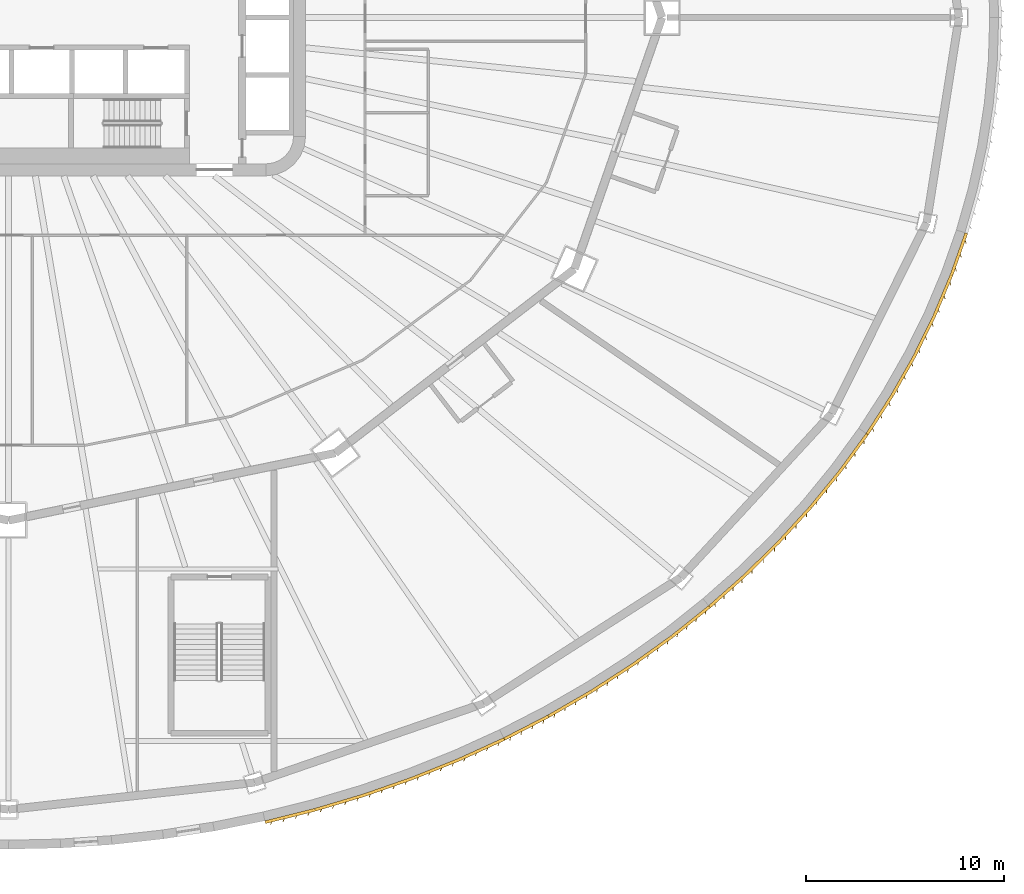
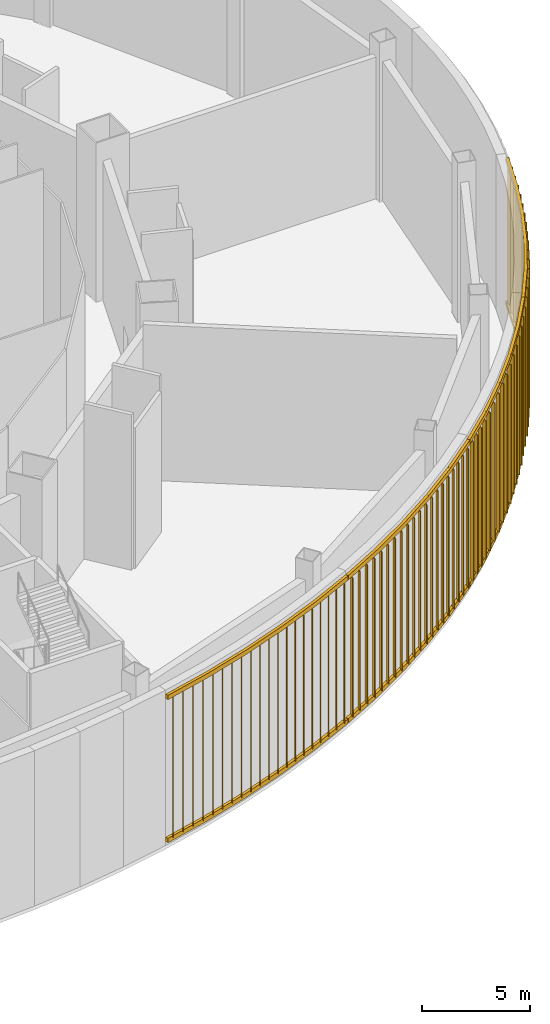
# One storey, part 31 of 35: 4 shading devices.
"""IFC4 building model written with IfcOpenShell, lengths in metres."""

from ifc_helpers import new_model, si_unit, direction, frame, origin, origin_2d, place, context, subcontext, project, spatial, rectangle, extrude, material, type_object, element, save


model = new_model("IFC4")

# Units and contexts
model_context = context("Model", 3, precision=1e-05, world=origin(), true_north=direction((0.0, 1.0)))
body_context = subcontext(model_context, "Body", "Model", "MODEL_VIEW")
ifc_project = project(units=[si_unit("LENGTHUNIT", "METRE"), si_unit("AREAUNIT", "SQUARE_METRE"), si_unit("VOLUMEUNIT", "CUBIC_METRE"), si_unit("PLANEANGLEUNIT", "RADIAN"), si_unit("MASSUNIT", "GRAM", prefix="KILO")], contexts=[model_context])

# Site, building, storey
site_placement = place(None, origin())
site = spatial("IfcSite", under=ifc_project, at=site_placement, CompositionType="ELEMENT")
building_placement = place(site_placement, origin())
building = spatial("IfcBuilding", under=site, at=building_placement, Name="Sahrelin Media Tower", CompositionType="ELEMENT")
storey_placement = place(building_placement, frame((0.0, 0.0, 8.0)))
storey = spatial("IfcBuildingStorey", under=building, at=storey_placement, Name="L01", CompositionType="ELEMENT", Elevation=8.0)

# Shading devices
ifc_material = material(Name="Champagne anodised aluminium 6063-T6", Category="aluminium")
shading_device_type = type_object("IfcShadingDeviceType", Name="Studio facade screen", PredefinedType="USERDEFINED", material=ifc_material)
shading_device_1_placement = place(storey_placement, frame((12.94091796875, -40.56884765625, 0.0), z_axis=(0.0, 0.0, 1.0), x_axis=(-0.944472511528, -0.328590436515, 0.0)))
element("IfcShadingDevice", 1, at=shading_device_1_placement, inside=storey, type_object=shading_device_type, Name="L01:SCREEN:L01-P19", ObjectType="SCREEN", PredefinedType="USERDEFINED", context=body_context, shape_type="SweptSolid", body=[
    extrude(rectangle(XDim=0.14990234375, YDim=0.25, at=origin_2d()), frame((0.0068359375, 0.07470703125, 0.35009765625), z_axis=(-0.995868409854, 0.090808095761, 0.0), x_axis=(-0.090808095761, -0.995868409854, 0.0)), (0.0, 0.0, 1.0), 2.58642578125),
    extrude(rectangle(XDim=0.14990234375, YDim=0.25, at=origin_2d()), frame((0.0068359375, 0.07470703125, 8.449951171875), z_axis=(-0.995868409854, 0.090808095761, 0.0), x_axis=(-0.090808095761, -0.995868409854, 0.0)), (0.0, 0.0, 1.0), 2.58642578125),
    extrude(rectangle(XDim=0.300048828125, YDim=0.0400390625, at=origin_2d()), frame((-0.308349609375, 0.1787109375, 0.47509765625), z_axis=(0.0, 0.0, 1.0), x_axis=(0.707106781187, 0.707106781187, 0.0)), (0.0, 0.0, 1.0), 7.849853515625),
    extrude(rectangle(XDim=0.300048828125, YDim=0.0400390625, at=origin_2d()), frame((-0.9521484375, 0.237548828125, 0.47509765625), z_axis=(0.0, 0.0, 1.0), x_axis=(0.707106781187, 0.707106781187, 0.0)), (0.0, 0.0, 1.0), 7.849853515625),
    extrude(rectangle(XDim=0.300048828125, YDim=0.0400390625, at=origin_2d()), frame((-1.59619140625, 0.296142578125, 0.47509765625), z_axis=(0.0, 0.0, 1.0), x_axis=(0.707106781187, 0.707106781187, 0.0)), (0.0, 0.0, 1.0), 7.849853515625),
    extrude(rectangle(XDim=0.300048828125, YDim=0.0400390625, at=origin_2d()), frame((-2.239990234375, 0.35498046875, 0.47509765625), z_axis=(0.0, 0.0, 1.0), x_axis=(0.707106781187, 0.707106781187, 0.0)), (0.0, 0.0, 1.0), 7.849853515625),
    extrude(rectangle(XDim=0.14990234375, YDim=0.25, at=origin_2d()), frame((-2.572265625, 0.309814453125, 0.35009765625), z_axis=(-0.998954807811, 0.045708773245, 0.0), x_axis=(-0.045708773245, -0.998954807811, 0.0)), (0.0, 0.0, 1.0), 2.574462890625),
    extrude(rectangle(XDim=0.14990234375, YDim=0.25, at=origin_2d()), frame((-2.572265625, 0.309814453125, 8.449951171875), z_axis=(-0.998954807811, 0.045708773245, 0.0), x_axis=(-0.045708773245, -0.998954807811, 0.0)), (0.0, 0.0, 1.0), 2.574462890625),
    extrude(rectangle(XDim=0.300048828125, YDim=0.0400390625, at=origin_2d()), frame((-2.890380859375, 0.3994140625, 0.47509765625), z_axis=(0.0, 0.0, 1.0), x_axis=(0.707106781187, 0.707106781187, 0.0)), (0.0, 0.0, 1.0), 7.849853515625),
    extrude(rectangle(XDim=0.300048828125, YDim=0.0400390625, at=origin_2d()), frame((-3.533203125, 0.428955078125, 0.47509765625), z_axis=(0.0, 0.0, 1.0), x_axis=(0.707106781187, 0.707106781187, 0.0)), (0.0, 0.0, 1.0), 7.849853515625),
    extrude(rectangle(XDim=0.300048828125, YDim=0.0400390625, at=origin_2d()), frame((-4.176025390625, 0.458251953125, 0.47509765625), z_axis=(0.0, 0.0, 1.0), x_axis=(0.707106781187, 0.707106781187, 0.0)), (0.0, 0.0, 1.0), 7.849853515625),
    extrude(rectangle(XDim=0.300048828125, YDim=0.0400390625, at=origin_2d()), frame((-4.819091796875, 0.48779296875, 0.47509765625), z_axis=(0.0, 0.0, 1.0), x_axis=(0.707106781187, 0.707106781187, 0.0)), (0.0, 0.0, 1.0), 7.849853515625),
    extrude(rectangle(XDim=0.14990234375, YDim=0.25, at=origin_2d()), frame((-5.1474609375, 0.427490234375, 0.35009765625), z_axis=(-1.0, 0.0, 0.0), x_axis=(0.0, -1.0, 0.0)), (0.0, 0.0, 1.0), 2.560546875),
    extrude(rectangle(XDim=0.14990234375, YDim=0.25, at=origin_2d()), frame((-5.1474609375, 0.427490234375, 8.449951171875), z_axis=(-1.0, 0.0, 0.0), x_axis=(0.0, -1.0, 0.0)), (0.0, 0.0, 1.0), 2.560546875),
    extrude(rectangle(XDim=0.300048828125, YDim=0.0400390625, at=origin_2d()), frame((-5.467529296875, 0.502685546875, 0.47509765625), z_axis=(0.0, 0.0, 1.0), x_axis=(0.707106781187, 0.707106781187, 0.0)), (0.0, 0.0, 1.0), 7.849853515625),
    extrude(rectangle(XDim=0.300048828125, YDim=0.0400390625, at=origin_2d()), frame((-6.107666015625, 0.502685546875, 0.47509765625), z_axis=(0.0, 0.0, 1.0), x_axis=(0.707106781187, 0.707106781187, 0.0)), (0.0, 0.0, 1.0), 7.849853515625),
    extrude(rectangle(XDim=0.300048828125, YDim=0.0400390625, at=origin_2d()), frame((-6.747802734375, 0.502685546875, 0.47509765625), z_axis=(0.0, 0.0, 1.0), x_axis=(0.707106781187, 0.707106781187, 0.0)), (0.0, 0.0, 1.0), 7.849853515625),
    extrude(rectangle(XDim=0.300048828125, YDim=0.0400390625, at=origin_2d()), frame((-7.387939453125, 0.502685546875, 0.47509765625), z_axis=(0.0, 0.0, 1.0), x_axis=(0.707106781187, 0.707106781187, 0.0)), (0.0, 0.0, 1.0), 7.849853515625),
    extrude(rectangle(XDim=0.14990234375, YDim=0.25, at=origin_2d()), frame((-7.71142578125, 0.427490234375, 0.35009765625), z_axis=(-0.998930620484, -0.046234353666, 0.0), x_axis=(0.046234353666, -0.998930620484, 0.0)), (0.0, 0.0, 1.0), 2.545166015625),
    extrude(rectangle(XDim=0.14990234375, YDim=0.25, at=origin_2d()), frame((-7.71142578125, 0.427490234375, 8.449951171875), z_axis=(-0.998930620484, -0.046234353666, 0.0), x_axis=(0.046234353666, -0.998930620484, 0.0)), (0.0, 0.0, 1.0), 2.545166015625),
    extrude(rectangle(XDim=0.300048828125, YDim=0.0400390625, at=origin_2d()), frame((-8.03271484375, 0.48779296875, 0.47509765625), z_axis=(0.0, 0.0, 1.0), x_axis=(0.707106781187, 0.707106781187, 0.0)), (0.0, 0.0, 1.0), 7.849853515625),
    extrude(rectangle(XDim=0.300048828125, YDim=0.0400390625, at=origin_2d()), frame((-8.66845703125, 0.458251953125, 0.47509765625), z_axis=(0.0, 0.0, 1.0), x_axis=(0.707106781187, 0.707106781187, 0.0)), (0.0, 0.0, 1.0), 7.849853515625),
    extrude(rectangle(XDim=0.300048828125, YDim=0.0400390625, at=origin_2d()), frame((-9.303955078125, 0.428955078125, 0.47509765625), z_axis=(0.0, 0.0, 1.0), x_axis=(0.707106781187, 0.707106781187, 0.0)), (0.0, 0.0, 1.0), 7.849853515625),
    extrude(rectangle(XDim=0.300048828125, YDim=0.0400390625, at=origin_2d()), frame((-9.939697265625, 0.3994140625, 0.47509765625), z_axis=(0.0, 0.0, 1.0), x_axis=(0.707106781187, 0.707106781187, 0.0)), (0.0, 0.0, 1.0), 7.849853515625),
    extrude(rectangle(XDim=0.14990234375, YDim=0.25, at=origin_2d()), frame((-10.257568359375, 0.3095703125, 0.35009765625), z_axis=(-0.995676744861, -0.092886057851, 0.0), x_axis=(0.092886057851, -0.995676744861, 0.0)), (0.0, 0.0, 1.0), 2.528564453125),
    extrude(rectangle(XDim=0.14990234375, YDim=0.25, at=origin_2d()), frame((-10.257568359375, 0.3095703125, 8.449951171875), z_axis=(-0.995676744861, -0.092886057851, 0.0), x_axis=(0.092886057851, -0.995676744861, 0.0)), (0.0, 0.0, 1.0), 2.528564453125),
    extrude(rectangle(XDim=0.300048828125, YDim=0.0400390625, at=origin_2d()), frame((-10.5791015625, 0.35498046875, 0.47509765625), z_axis=(0.0, 0.0, 1.0), x_axis=(0.707106781187, 0.707106781187, 0.0)), (0.0, 0.0, 1.0), 7.849853515625),
    extrude(rectangle(XDim=0.300048828125, YDim=0.0400390625, at=origin_2d()), frame((-11.20849609375, 0.296142578125, 0.47509765625), z_axis=(0.0, 0.0, 1.0), x_axis=(0.707106781187, 0.707106781187, 0.0)), (0.0, 0.0, 1.0), 7.849853515625),
    extrude(rectangle(XDim=0.300048828125, YDim=0.0400390625, at=origin_2d()), frame((-11.837890625, 0.237548828125, 0.47509765625), z_axis=(0.0, 0.0, 1.0), x_axis=(0.707106781187, 0.707106781187, 0.0)), (0.0, 0.0, 1.0), 7.849853515625),
    extrude(rectangle(XDim=0.300048828125, YDim=0.0400390625, at=origin_2d()), frame((-12.46728515625, 0.1787109375, 0.47509765625), z_axis=(0.0, 0.0, 1.0), x_axis=(0.707106781187, 0.707106781187, 0.0)), (0.0, 0.0, 1.0), 7.849853515625),
])
shading_device_2_placement = place(storey_placement, frame((25.0, -36.373046875, 0.0), z_axis=(0.0, 0.0, 1.0), x_axis=(-0.840505257377, -0.541803388991, 0.0)))
element("IfcShadingDevice", 2, at=shading_device_2_placement, inside=storey, type_object=shading_device_type, Name="L01:SCREEN:L01-P20", ObjectType="SCREEN", PredefinedType="USERDEFINED", context=body_context, shape_type="SweptSolid", body=[
    extrude(rectangle(XDim=0.14990234375, YDim=0.25, at=origin_2d()), frame((0.00732421875, 0.07470703125, 0.35009765625), z_axis=(-0.995288149156, 0.096961333272, 0.0), x_axis=(-0.096961333272, -0.995288149156, 0.0)), (0.0, 0.0, 1.0), 2.51025390625),
    extrude(rectangle(XDim=0.14990234375, YDim=0.25, at=origin_2d()), frame((0.00732421875, 0.07470703125, 8.449951171875), z_axis=(-0.995288149156, 0.096961333272, 0.0), x_axis=(-0.096961333272, -0.995288149156, 0.0)), (0.0, 0.0, 1.0), 2.51025390625),
    extrude(rectangle(XDim=0.300048828125, YDim=0.0400390625, at=origin_2d()), frame((-0.2978515625, 0.1796875, 0.47509765625), z_axis=(0.0, 0.0, 1.0), x_axis=(0.707106781187, 0.707106781187, 0.0)), (0.0, 0.0, 1.0), 7.849853515625),
    extrude(rectangle(XDim=0.300048828125, YDim=0.0400390625, at=origin_2d()), frame((-0.92236328125, 0.240478515625, 0.47509765625), z_axis=(0.0, 0.0, 1.0), x_axis=(0.707106781187, 0.707106781187, 0.0)), (0.0, 0.0, 1.0), 7.849853515625),
    extrude(rectangle(XDim=0.300048828125, YDim=0.0400390625, at=origin_2d()), frame((-1.547119140625, 0.301513671875, 0.47509765625), z_axis=(0.0, 0.0, 1.0), x_axis=(0.707106781187, 0.707106781187, 0.0)), (0.0, 0.0, 1.0), 7.849853515625),
    extrude(rectangle(XDim=0.300048828125, YDim=0.0400390625, at=origin_2d()), frame((-2.171630859375, 0.3623046875, 0.47509765625), z_axis=(0.0, 0.0, 1.0), x_axis=(0.707106781187, 0.707106781187, 0.0)), (0.0, 0.0, 1.0), 7.849853515625),
    extrude(rectangle(XDim=0.14990234375, YDim=0.25, at=origin_2d()), frame((-2.494873046875, 0.318603515625, 0.35009765625), z_axis=(-0.99880815952, 0.048808405793, 0.0), x_axis=(-0.048808405793, -0.99880815952, 0.0)), (0.0, 0.0, 1.0), 2.490966796875),
    extrude(rectangle(XDim=0.14990234375, YDim=0.25, at=origin_2d()), frame((-2.494873046875, 0.318603515625, 8.449951171875), z_axis=(-0.99880815952, 0.048808405793, 0.0), x_axis=(-0.048808405793, -0.99880815952, 0.0)), (0.0, 0.0, 1.0), 2.490966796875),
    extrude(rectangle(XDim=0.300048828125, YDim=0.0400390625, at=origin_2d()), frame((-2.80224609375, 0.40869140625, 0.47509765625), z_axis=(0.0, 0.0, 1.0), x_axis=(0.707106781187, 0.707106781187, 0.0)), (0.0, 0.0, 1.0), 7.849853515625),
    extrude(rectangle(XDim=0.300048828125, YDim=0.0400390625, at=origin_2d()), frame((-3.42431640625, 0.439208984375, 0.47509765625), z_axis=(0.0, 0.0, 1.0), x_axis=(0.707106781187, 0.707106781187, 0.0)), (0.0, 0.0, 1.0), 7.849853515625),
    extrude(rectangle(XDim=0.300048828125, YDim=0.0400390625, at=origin_2d()), frame((-4.046142578125, 0.469482421875, 0.47509765625), z_axis=(0.0, 0.0, 1.0), x_axis=(0.707106781187, 0.707106781187, 0.0)), (0.0, 0.0, 1.0), 7.849853515625),
    extrude(rectangle(XDim=0.300048828125, YDim=0.0400390625, at=origin_2d()), frame((-4.668212890625, 0.5, 0.47509765625), z_axis=(0.0, 0.0, 1.0), x_axis=(0.707106781187, 0.707106781187, 0.0)), (0.0, 0.0, 1.0), 7.849853515625),
    extrude(rectangle(XDim=0.14990234375, YDim=0.25, at=origin_2d()), frame((-4.986572265625, 0.4404296875, 0.35009765625), z_axis=(-1.0, 0.0, 0.0), x_axis=(0.0, -1.0, 0.0)), (0.0, 0.0, 1.0), 2.470703125),
    extrude(rectangle(XDim=0.14990234375, YDim=0.25, at=origin_2d()), frame((-4.986572265625, 0.4404296875, 8.449951171875), z_axis=(-1.0, 0.0, 0.0), x_axis=(0.0, -1.0, 0.0)), (0.0, 0.0, 1.0), 2.470703125),
    extrude(rectangle(XDim=0.300048828125, YDim=0.0400390625, at=origin_2d()), frame((-5.29541015625, 0.515380859375, 0.47509765625), z_axis=(0.0, 0.0, 1.0), x_axis=(0.707106781187, 0.707106781187, 0.0)), (0.0, 0.0, 1.0), 7.849853515625),
    extrude(rectangle(XDim=0.300048828125, YDim=0.0400390625, at=origin_2d()), frame((-5.9130859375, 0.515380859375, 0.47509765625), z_axis=(0.0, 0.0, 1.0), x_axis=(0.707106781187, 0.707106781187, 0.0)), (0.0, 0.0, 1.0), 7.849853515625),
    extrude(rectangle(XDim=0.300048828125, YDim=0.0400390625, at=origin_2d()), frame((-6.53076171875, 0.515380859375, 0.47509765625), z_axis=(0.0, 0.0, 1.0), x_axis=(0.707106781187, 0.707106781187, 0.0)), (0.0, 0.0, 1.0), 7.849853515625),
    extrude(rectangle(XDim=0.300048828125, YDim=0.0400390625, at=origin_2d()), frame((-7.1484375, 0.515380859375, 0.47509765625), z_axis=(0.0, 0.0, 1.0), x_axis=(0.707106781187, 0.707106781187, 0.0)), (0.0, 0.0, 1.0), 7.849853515625),
    extrude(rectangle(XDim=0.14990234375, YDim=0.25, at=origin_2d()), frame((-7.4609375, 0.440185546875, 0.35009765625), z_axis=(-0.998762754954, -0.049728857985, 0.0), x_axis=(0.049728857985, -0.998762754954, 0.0)), (0.0, 0.0, 1.0), 2.44970703125),
    extrude(rectangle(XDim=0.14990234375, YDim=0.25, at=origin_2d()), frame((-7.4609375, 0.440185546875, 8.449951171875), z_axis=(-0.998762754954, -0.049728857985, 0.0), x_axis=(0.049728857985, -0.998762754954, 0.0)), (0.0, 0.0, 1.0), 2.44970703125),
    extrude(rectangle(XDim=0.300048828125, YDim=0.0400390625, at=origin_2d()), frame((-7.7705078125, 0.5, 0.47509765625), z_axis=(0.0, 0.0, 1.0), x_axis=(0.707106781187, 0.707106781187, 0.0)), (0.0, 0.0, 1.0), 7.849853515625),
    extrude(rectangle(XDim=0.300048828125, YDim=0.0400390625, at=origin_2d()), frame((-8.38232421875, 0.469482421875, 0.47509765625), z_axis=(0.0, 0.0, 1.0), x_axis=(0.707106781187, 0.707106781187, 0.0)), (0.0, 0.0, 1.0), 7.849853515625),
    extrude(rectangle(XDim=0.300048828125, YDim=0.0400390625, at=origin_2d()), frame((-8.993896484375, 0.43896484375, 0.47509765625), z_axis=(0.0, 0.0, 1.0), x_axis=(0.707106781187, 0.707106781187, 0.0)), (0.0, 0.0, 1.0), 7.849853515625),
    extrude(rectangle(XDim=0.300048828125, YDim=0.0400390625, at=origin_2d()), frame((-9.605712890625, 0.40869140625, 0.47509765625), z_axis=(0.0, 0.0, 1.0), x_axis=(0.707106781187, 0.707106781187, 0.0)), (0.0, 0.0, 1.0), 7.849853515625),
    extrude(rectangle(XDim=0.14990234375, YDim=0.25, at=origin_2d()), frame((-9.91162109375, 0.318115234375, 0.35009765625), z_axis=(-0.994962242717, -0.100250364425, 0.0), x_axis=(0.100250364425, -0.994962242717, 0.0)), (0.0, 0.0, 1.0), 2.427978515625),
    extrude(rectangle(XDim=0.14990234375, YDim=0.25, at=origin_2d()), frame((-9.91162109375, 0.318115234375, 8.449951171875), z_axis=(-0.994962242717, -0.100250364425, 0.0), x_axis=(0.100250364425, -0.994962242717, 0.0)), (0.0, 0.0, 1.0), 2.427978515625),
    extrude(rectangle(XDim=0.300048828125, YDim=0.0400390625, at=origin_2d()), frame((-10.220947265625, 0.3623046875, 0.47509765625), z_axis=(0.0, 0.0, 1.0), x_axis=(0.707106781187, 0.707106781187, 0.0)), (0.0, 0.0, 1.0), 7.849853515625),
    extrude(rectangle(XDim=0.300048828125, YDim=0.0400390625, at=origin_2d()), frame((-10.824951171875, 0.301513671875, 0.47509765625), z_axis=(0.0, 0.0, 1.0), x_axis=(0.707106781187, 0.707106781187, 0.0)), (0.0, 0.0, 1.0), 7.849853515625),
    extrude(rectangle(XDim=0.300048828125, YDim=0.0400390625, at=origin_2d()), frame((-11.428955078125, 0.240478515625, 0.47509765625), z_axis=(0.0, 0.0, 1.0), x_axis=(0.707106781187, 0.707106781187, 0.0)), (0.0, 0.0, 1.0), 7.849853515625),
    extrude(rectangle(XDim=0.300048828125, YDim=0.0400390625, at=origin_2d()), frame((-12.032958984375, 0.1796875, 0.47509765625), z_axis=(0.0, 0.0, 1.0), x_axis=(0.707106781187, 0.707106781187, 0.0)), (0.0, 0.0, 1.0), 7.849853515625),
])
shading_device_3_placement = place(storey_placement, frame((35.355224609375, -29.698486328125, 0.0), z_axis=(0.0, 0.0, 1.0), x_axis=(-0.674432963717, -0.738336087058, 0.0)))
element("IfcShadingDevice", 3, at=shading_device_3_placement, inside=storey, type_object=shading_device_type, Name="L01:SCREEN:L01-P21", ObjectType="SCREEN", PredefinedType="USERDEFINED", context=body_context, shape_type="SweptSolid", body=[
    extrude(rectangle(XDim=0.14990234375, YDim=0.25, at=origin_2d()), frame((0.0078125, 0.07470703125, 0.35009765625), z_axis=(-0.994395950407, 0.105719883718, 0.0), x_axis=(-0.105719883718, -0.994395950407, 0.0)), (0.0, 0.0, 1.0), 2.40625),
    extrude(rectangle(XDim=0.14990234375, YDim=0.25, at=origin_2d()), frame((0.0078125, 0.07470703125, 8.449951171875), z_axis=(-0.994395950407, 0.105719883718, 0.0), x_axis=(-0.105719883718, -0.994395950407, 0.0)), (0.0, 0.0, 1.0), 2.40625),
    extrude(rectangle(XDim=0.300048828125, YDim=0.0400390625, at=origin_2d()), frame((-0.283203125, 0.180908203125, 0.47509765625), z_axis=(0.0, 0.0, 1.0), x_axis=(0.707106781187, 0.707106781187, 0.0)), (0.0, 0.0, 1.0), 7.849853515625),
    extrude(rectangle(XDim=0.300048828125, YDim=0.0400390625, at=origin_2d()), frame((-0.881591796875, 0.24462890625, 0.47509765625), z_axis=(0.0, 0.0, 1.0), x_axis=(0.707106781187, 0.707106781187, 0.0)), (0.0, 0.0, 1.0), 7.849853515625),
    extrude(rectangle(XDim=0.300048828125, YDim=0.0400390625, at=origin_2d()), frame((-1.479736328125, 0.308349609375, 0.47509765625), z_axis=(0.0, 0.0, 1.0), x_axis=(0.707106781187, 0.707106781187, 0.0)), (0.0, 0.0, 1.0), 7.849853515625),
    extrude(rectangle(XDim=0.300048828125, YDim=0.0400390625, at=origin_2d()), frame((-2.077880859375, 0.3720703125, 0.47509765625), z_axis=(0.0, 0.0, 1.0), x_axis=(0.707106781187, 0.707106781187, 0.0)), (0.0, 0.0, 1.0), 7.849853515625),
    extrude(rectangle(XDim=0.14990234375, YDim=0.25, at=origin_2d()), frame((-2.388916015625, 0.32958984375, 0.35009765625), z_axis=(-0.998570768026, 0.053445497889, 0.0), x_axis=(-0.053445497889, -0.998570768026, 0.0)), (0.0, 0.0, 1.0), 2.384521484375),
    extrude(rectangle(XDim=0.14990234375, YDim=0.25, at=origin_2d()), frame((-2.388916015625, 0.32958984375, 8.449951171875), z_axis=(-0.998570768026, 0.053445497889, 0.0), x_axis=(-0.053445497889, -0.998570768026, 0.0)), (0.0, 0.0, 1.0), 2.384521484375),
    extrude(rectangle(XDim=0.300048828125, YDim=0.0400390625, at=origin_2d()), frame((-2.78173828125, 0.42578125, 0.47509765625), z_axis=(0.0, 0.0, 1.0), x_axis=(0.707106781187, 0.707106781187, 0.0)), (0.0, 0.0, 1.0), 7.849853515625),
    extrude(rectangle(XDim=0.300048828125, YDim=0.0400390625, at=origin_2d()), frame((-3.575439453125, 0.46826171875, 0.47509765625), z_axis=(0.0, 0.0, 1.0), x_axis=(0.707106781187, 0.707106781187, 0.0)), (0.0, 0.0, 1.0), 7.849853515625),
    extrude(rectangle(XDim=0.300048828125, YDim=0.0400390625, at=origin_2d()), frame((-4.369140625, 0.5107421875, 0.47509765625), z_axis=(0.0, 0.0, 1.0), x_axis=(0.707106781187, 0.707106781187, 0.0)), (0.0, 0.0, 1.0), 7.849853515625),
    extrude(rectangle(XDim=0.14990234375, YDim=0.25, at=origin_2d()), frame((-4.77392578125, 0.457275390625, 0.35009765625), z_axis=(-0.999999994662, -0.000103327133, 0.0), x_axis=(0.000103327133, -0.999999994662, 0.0)), (0.0, 0.0, 1.0), 2.36279296875),
    extrude(rectangle(XDim=0.14990234375, YDim=0.25, at=origin_2d()), frame((-4.77392578125, 0.457275390625, 8.449951171875), z_axis=(-0.999999994662, -0.000103327133, 0.0), x_axis=(0.000103327133, -0.999999994662, 0.0)), (0.0, 0.0, 1.0), 2.36279296875),
    extrude(rectangle(XDim=0.300048828125, YDim=0.0400390625, at=origin_2d()), frame((-5.167724609375, 0.5322265625, 0.47509765625), z_axis=(0.0, 0.0, 1.0), x_axis=(0.707106781187, 0.707106781187, 0.0)), (0.0, 0.0, 1.0), 7.849853515625),
    extrude(rectangle(XDim=0.300048828125, YDim=0.0400390625, at=origin_2d()), frame((-5.955322265625, 0.531982421875, 0.47509765625), z_axis=(0.0, 0.0, 1.0), x_axis=(0.707106781187, 0.707106781187, 0.0)), (0.0, 0.0, 1.0), 7.849853515625),
    extrude(rectangle(XDim=0.300048828125, YDim=0.0400390625, at=origin_2d()), frame((-6.742919921875, 0.531982421875, 0.47509765625), z_axis=(0.0, 0.0, 1.0), x_axis=(0.707106781187, 0.707106781187, 0.0)), (0.0, 0.0, 1.0), 7.849853515625),
    extrude(rectangle(XDim=0.14990234375, YDim=0.25, at=origin_2d()), frame((-7.140869140625, 0.45703125, 0.35009765625), z_axis=(-0.998517563231, -0.054430468672, 0.0), x_axis=(0.054430468672, -0.998517563231, 0.0)), (0.0, 0.0, 1.0), 2.34130859375),
    extrude(rectangle(XDim=0.14990234375, YDim=0.25, at=origin_2d()), frame((-7.140869140625, 0.45703125, 8.449951171875), z_axis=(-0.998517563231, -0.054430468672, 0.0), x_axis=(0.054430468672, -0.998517563231, 0.0)), (0.0, 0.0, 1.0), 2.34130859375),
    extrude(rectangle(XDim=0.300048828125, YDim=0.0400390625, at=origin_2d()), frame((-7.53466796875, 0.510498046875, 0.47509765625), z_axis=(0.0, 0.0, 1.0), x_axis=(0.707106781187, 0.707106781187, 0.0)), (0.0, 0.0, 1.0), 7.849853515625),
    extrude(rectangle(XDim=0.300048828125, YDim=0.0400390625, at=origin_2d()), frame((-8.31396484375, 0.468017578125, 0.47509765625), z_axis=(0.0, 0.0, 1.0), x_axis=(0.707106781187, 0.707106781187, 0.0)), (0.0, 0.0, 1.0), 7.849853515625),
    extrude(rectangle(XDim=0.300048828125, YDim=0.0400390625, at=origin_2d()), frame((-9.09326171875, 0.425537109375, 0.47509765625), z_axis=(0.0, 0.0, 1.0), x_axis=(0.707106781187, 0.707106781187, 0.0)), (0.0, 0.0, 1.0), 7.849853515625),
    extrude(rectangle(XDim=0.14990234375, YDim=0.25, at=origin_2d()), frame((-9.48291015625, 0.3291015625, 0.35009765625), z_axis=(-0.993963012616, -0.109715675961, 0.0), x_axis=(0.109715675961, -0.993963012616, 0.0)), (0.0, 0.0, 1.0), 2.32080078125),
    extrude(rectangle(XDim=0.14990234375, YDim=0.25, at=origin_2d()), frame((-9.48291015625, 0.3291015625, 8.449951171875), z_axis=(-0.993963012616, -0.109715675961, 0.0), x_axis=(0.109715675961, -0.993963012616, 0.0)), (0.0, 0.0, 1.0), 2.32080078125),
    extrude(rectangle(XDim=0.300048828125, YDim=0.0400390625, at=origin_2d()), frame((-9.875732421875, 0.361083984375, 0.47509765625), z_axis=(0.0, 0.0, 1.0), x_axis=(0.707106781187, 0.707106781187, 0.0)), (0.0, 0.0, 1.0), 7.849853515625),
    extrude(rectangle(XDim=0.300048828125, YDim=0.0400390625, at=origin_2d()), frame((-10.64453125, 0.2763671875, 0.47509765625), z_axis=(0.0, 0.0, 1.0), x_axis=(0.707106781187, 0.707106781187, 0.0)), (0.0, 0.0, 1.0), 7.849853515625),
    extrude(rectangle(XDim=0.300048828125, YDim=0.0400390625, at=origin_2d()), frame((-11.41357421875, 0.19140625, 0.47509765625), z_axis=(0.0, 0.0, 1.0), x_axis=(0.707106781187, 0.707106781187, 0.0)), (0.0, 0.0, 1.0), 7.849853515625),
])
shading_device_4_placement = place(storey_placement, frame((43.30126953125, -21.0, 0.0), z_axis=(0.0, 0.0, 1.0), x_axis=(-0.44228697484, -0.896873587462, 0.0)))
element("IfcShadingDevice", 4, at=shading_device_4_placement, inside=storey, type_object=shading_device_type, Name="L01:SCREEN:L01-P22", ObjectType="SCREEN", PredefinedType="USERDEFINED", context=body_context, shape_type="SweptSolid", body=[
    extrude(rectangle(XDim=0.14990234375, YDim=0.25, at=origin_2d()), frame((0.0087890625, 0.074462890625, 0.35009765625), z_axis=(-0.993314738525, 0.115437559871, 0.0), x_axis=(-0.115437559871, -0.993314738525, 0.0)), (0.0, 0.0, 1.0), 2.301025390625),
    extrude(rectangle(XDim=0.14990234375, YDim=0.25, at=origin_2d()), frame((0.0087890625, 0.074462890625, 8.449951171875), z_axis=(-0.993314738525, 0.115437559871, 0.0), x_axis=(-0.115437559871, -0.993314738525, 0.0)), (0.0, 0.0, 1.0), 2.301025390625),
    extrude(rectangle(XDim=0.300048828125, YDim=0.0400390625, at=origin_2d()), frame((-0.363525390625, 0.193359375, 0.47509765625), z_axis=(0.0, 0.0, 1.0), x_axis=(0.707106781187, 0.707106781187, 0.0)), (0.0, 0.0, 1.0), 7.849853515625),
    extrude(rectangle(XDim=0.300048828125, YDim=0.0400390625, at=origin_2d()), frame((-1.12548828125, 0.28173828125, 0.47509765625), z_axis=(0.0, 0.0, 1.0), x_axis=(0.707106781187, 0.707106781187, 0.0)), (0.0, 0.0, 1.0), 7.849853515625),
    extrude(rectangle(XDim=0.300048828125, YDim=0.0400390625, at=origin_2d()), frame((-1.88720703125, 0.370361328125, 0.47509765625), z_axis=(0.0, 0.0, 1.0), x_axis=(0.707106781187, 0.707106781187, 0.0)), (0.0, 0.0, 1.0), 7.849853515625),
    extrude(rectangle(XDim=0.14990234375, YDim=0.25, at=origin_2d()), frame((-2.28125, 0.340576171875, 0.35009765625), z_axis=(-0.998305220506, 0.058195246459, 0.0), x_axis=(-0.058195246459, -0.998305220506, 0.0)), (0.0, 0.0, 1.0), 2.2822265625),
    extrude(rectangle(XDim=0.14990234375, YDim=0.25, at=origin_2d()), frame((-2.28125, 0.340576171875, 8.449951171875), z_axis=(-0.998305220506, 0.058195246459, 0.0), x_axis=(-0.058195246459, -0.998305220506, 0.0)), (0.0, 0.0, 1.0), 2.2822265625),
    extrude(rectangle(XDim=0.300048828125, YDim=0.0400390625, at=origin_2d()), frame((-2.656494140625, 0.4375, 0.47509765625), z_axis=(0.0, 0.0, 1.0), x_axis=(0.707106781187, 0.707106781187, 0.0)), (0.0, 0.0, 1.0), 7.849853515625),
    extrude(rectangle(XDim=0.300048828125, YDim=0.0400390625, at=origin_2d()), frame((-3.416015625, 0.481689453125, 0.47509765625), z_axis=(0.0, 0.0, 1.0), x_axis=(0.707106781187, 0.707106781187, 0.0)), (0.0, 0.0, 1.0), 7.849853515625),
    extrude(rectangle(XDim=0.300048828125, YDim=0.0400390625, at=origin_2d()), frame((-4.175537109375, 0.526123046875, 0.47509765625), z_axis=(0.0, 0.0, 1.0), x_axis=(0.707106781187, 0.707106781187, 0.0)), (0.0, 0.0, 1.0), 7.849853515625),
    extrude(rectangle(XDim=0.14990234375, YDim=0.25, at=origin_2d()), frame((-4.56396484375, 0.4736328125, 0.35009765625), z_axis=(-1.0, 0.0, 0.0), x_axis=(0.0, -1.0, 0.0)), (0.0, 0.0, 1.0), 2.26513671875),
    extrude(rectangle(XDim=0.14990234375, YDim=0.25, at=origin_2d()), frame((-4.56396484375, 0.4736328125, 8.449951171875), z_axis=(-1.0, 0.0, 0.0), x_axis=(0.0, -1.0, 0.0)), (0.0, 0.0, 1.0), 2.26513671875),
    extrude(rectangle(XDim=0.300048828125, YDim=0.0400390625, at=origin_2d()), frame((-4.94140625, 0.548583984375, 0.47509765625), z_axis=(0.0, 0.0, 1.0), x_axis=(0.707106781187, 0.707106781187, 0.0)), (0.0, 0.0, 1.0), 7.849853515625),
    extrude(rectangle(XDim=0.300048828125, YDim=0.0400390625, at=origin_2d()), frame((-5.696533203125, 0.548583984375, 0.47509765625), z_axis=(0.0, 0.0, 1.0), x_axis=(0.707106781187, 0.707106781187, 0.0)), (0.0, 0.0, 1.0), 7.849853515625),
    extrude(rectangle(XDim=0.300048828125, YDim=0.0400390625, at=origin_2d()), frame((-6.451416015625, 0.548583984375, 0.47509765625), z_axis=(0.0, 0.0, 1.0), x_axis=(0.707106781187, 0.707106781187, 0.0)), (0.0, 0.0, 1.0), 7.849853515625),
    extrude(rectangle(XDim=0.14990234375, YDim=0.25, at=origin_2d()), frame((-6.83349609375, 0.473388671875, 0.35009765625), z_axis=(-0.998255232119, -0.059046520199, 0.0), x_axis=(0.059046520199, -0.998255232119, 0.0)), (0.0, 0.0, 1.0), 2.249267578125),
    extrude(rectangle(XDim=0.14990234375, YDim=0.25, at=origin_2d()), frame((-6.83349609375, 0.473388671875, 8.449951171875), z_axis=(-0.998255232119, -0.059046520199, 0.0), x_axis=(0.059046520199, -0.998255232119, 0.0)), (0.0, 0.0, 1.0), 2.249267578125),
    extrude(rectangle(XDim=0.300048828125, YDim=0.0400390625, at=origin_2d()), frame((-7.212158203125, 0.526123046875, 0.47509765625), z_axis=(0.0, 0.0, 1.0), x_axis=(0.707106781187, 0.707106781187, 0.0)), (0.0, 0.0, 1.0), 7.849853515625),
    extrude(rectangle(XDim=0.300048828125, YDim=0.0400390625, at=origin_2d()), frame((-7.960693359375, 0.481689453125, 0.47509765625), z_axis=(0.0, 0.0, 1.0), x_axis=(0.707106781187, 0.707106781187, 0.0)), (0.0, 0.0, 1.0), 7.849853515625),
    extrude(rectangle(XDim=0.300048828125, YDim=0.0400390625, at=origin_2d()), frame((-8.708984375, 0.4375, 0.47509765625), z_axis=(0.0, 0.0, 1.0), x_axis=(0.707106781187, 0.707106781187, 0.0)), (0.0, 0.0, 1.0), 7.849853515625),
    extrude(rectangle(XDim=0.14990234375, YDim=0.25, at=origin_2d()), frame((-9.08349609375, 0.340087890625, 0.35009765625), z_axis=(-0.992914515953, -0.118830820961, 0.0), x_axis=(0.118830820961, -0.992914515953, 0.0)), (0.0, 0.0, 1.0), 2.2353515625),
    extrude(rectangle(XDim=0.14990234375, YDim=0.25, at=origin_2d()), frame((-9.08349609375, 0.340087890625, 8.449951171875), z_axis=(-0.992914515953, -0.118830820961, 0.0), x_axis=(0.118830820961, -0.992914515953, 0.0)), (0.0, 0.0, 1.0), 2.2353515625),
    extrude(rectangle(XDim=0.300048828125, YDim=0.0400390625, at=origin_2d()), frame((-9.462158203125, 0.370361328125, 0.47509765625), z_axis=(0.0, 0.0, 1.0), x_axis=(0.707106781187, 0.707106781187, 0.0)), (0.0, 0.0, 1.0), 7.849853515625),
    extrude(rectangle(XDim=0.300048828125, YDim=0.0400390625, at=origin_2d()), frame((-10.2021484375, 0.28173828125, 0.47509765625), z_axis=(0.0, 0.0, 1.0), x_axis=(0.707106781187, 0.707106781187, 0.0)), (0.0, 0.0, 1.0), 7.849853515625),
    extrude(rectangle(XDim=0.300048828125, YDim=0.0400390625, at=origin_2d()), frame((-10.942138671875, 0.193115234375, 0.47509765625), z_axis=(0.0, 0.0, 1.0), x_axis=(0.707106781187, 0.707106781187, 0.0)), (0.0, 0.0, 1.0), 7.849853515625),
])

save(model, "model.ifc")
